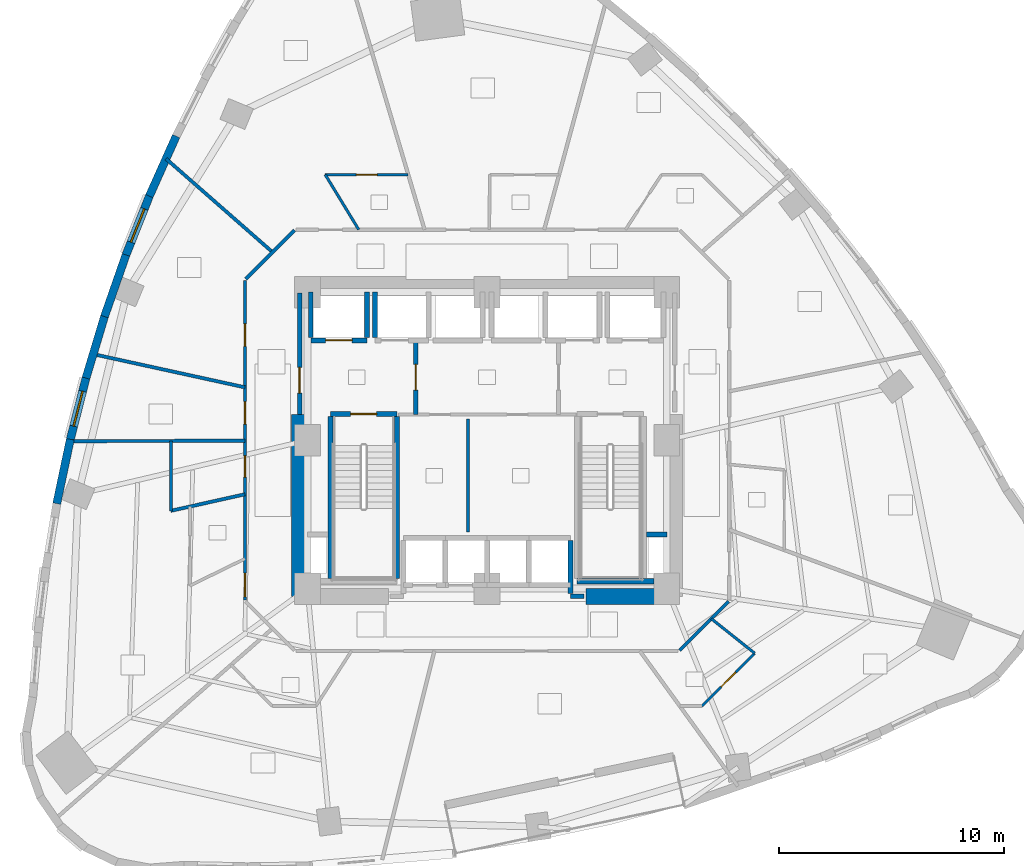
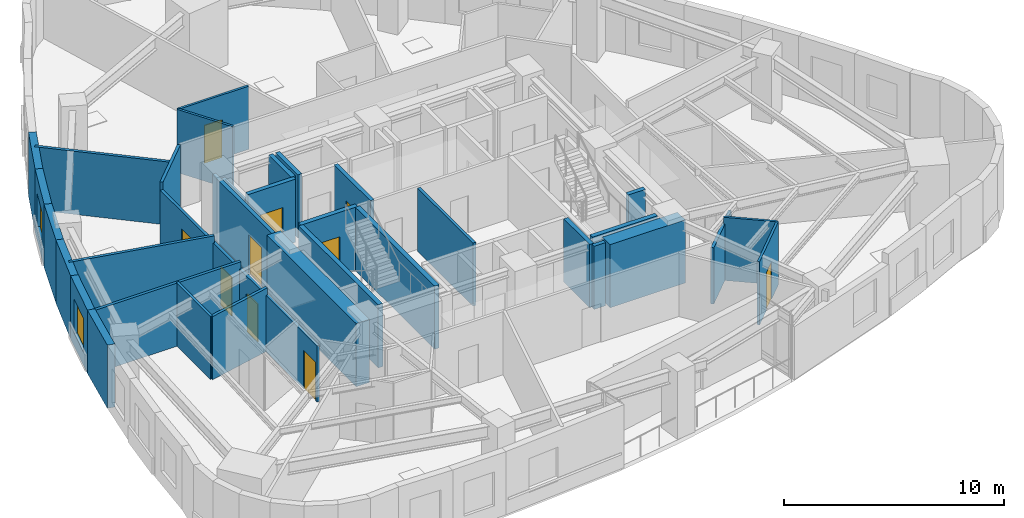
# One storey, part 6 of 12: 34 walls, 10 doors, 2 windows, 12 openings.
"""IFC4 building model written with IfcOpenShell, lengths in metres."""

from ifc_helpers import new_model, si_unit, direction, frame, frame_2d, origin, place, context, subcontext, project, spatial, rectangle, extrude, material, layer, layer_set, type_object, element, fill, save


model = new_model("IFC4")

# Units and contexts
model_context = context("Model", 3, precision=1e-05, world=origin(), true_north=direction((0.0, 1.0)))
body_context = subcontext(model_context, "Body", "Model", "MODEL_VIEW")
ifc_project = project(units=[si_unit("LENGTHUNIT", "METRE"), si_unit("AREAUNIT", "SQUARE_METRE"), si_unit("VOLUMEUNIT", "CUBIC_METRE"), si_unit("PLANEANGLEUNIT", "RADIAN"), si_unit("MASSUNIT", "GRAM", prefix="KILO")], contexts=[model_context])

# Site, building, storey
site_placement = place(None, origin())
site = spatial("IfcSite", under=ifc_project, at=site_placement, CompositionType="ELEMENT")
building_placement = place(site_placement, origin())
building = spatial("IfcBuilding", under=site, at=building_placement, Name="Ndelora Gate Hotel", CompositionType="ELEMENT")
storey_placement = place(building_placement, frame((0.0, 0.0, 75.5)))
storey = spatial("IfcBuildingStorey", under=building, at=storey_placement, Name="L18", CompositionType="ELEMENT", Elevation=75.5)

# Wall
ifc_material_1 = material(Name="Clay Brick Masonry", Category="masonry")
ifc_layer_1 = layer(ifc_material_1, 0.360107421875)
ifc_layer_set_1 = layer_set([ifc_layer_1], Name="Clay Brick Masonry")
wall_type_1 = type_object("IfcWallType", Name="WL-BRICK-360", PredefinedType="SOLIDWALL", material=ifc_layer_set_1)
wall_1_placement = place(storey_placement, frame((-15.038330078125, 10.87255859375, 0.0), z_axis=(0.0, 0.0, 1.0), x_axis=(0.408305664589, 0.912845268523, 0.0)))
element("IfcWall", 1, at=wall_1_placement, inside=storey, type_object=wall_type_1, Name="L18 Tower Brick Pier-and-Spandrel Wall TWR-12", PredefinedType="SOLIDWALL", context=body_context, shape_type="SweptSolid", body=[
    extrude(rectangle(XDim=2.925048828125, YDim=0.360107421875, at=frame_2d((1.46240234375, 0.0))), origin(), (0.0, 0.0, 1.0), 3.5),
])

# Wall, opening, window
wall_2_placement = place(storey_placement, frame((-16.09521484375, 8.209716796875, 0.0), z_axis=(0.0, 0.0, 1.0), x_axis=(0.369223403916, 0.929340668432, 0.0)))
wall_2 = element("IfcWall", 2, at=wall_2_placement, inside=storey, type_object=wall_type_1, Name="L18 Tower Brick Pier-and-Spandrel Wall TWR-13", PredefinedType="SOLIDWALL", context=body_context, shape_type="SweptSolid", body=[
    extrude(rectangle(XDim=2.914794921875, YDim=0.360107421875, at=frame_2d((1.45751953125, 0.0))), origin(), (0.0, 0.0, 1.0), 3.5),
])
opening_1_placement = place(wall_2_placement, frame((0.657470703125, 0.0, 0.719970703125)))
opening_1 = element("IfcOpeningElement", 3, at=opening_1_placement, cuts=wall_2, Name="Opening W03", PredefinedType="OPENING", context=body_context, shape_type="SweptSolid", body=[
    extrude(rectangle(XDim=1.60009765625, YDim=1.8798828125, at=frame_2d((0.800048828125, 0.93994140625))), frame((0.0, 0.18994140625, 0.0), z_axis=(0.0, -1.0, 0.0), x_axis=(1.0, 0.0, 0.0)), (0.0, 0.0, 1.0), 0.380126953125),
])
ifc_material_2 = material(Name="Insulated Low-E Double Glazing in Bronze Aluminium Frame", Category="aluminium")
window_type_1 = type_object("IfcWindowType", Name="WN-CORN-2100", PartitioningType="SINGLE_PANEL", PredefinedType="WINDOW", material=ifc_material_2)
window_1_placement = place(opening_1_placement, origin())
window_1 = element("IfcWindow", 4, at=window_1_placement, inside=storey, type_object=window_type_1, Name="L18 Deep-Set Brick-Pier Window W03", OverallHeight=1.8798828125, OverallWidth=1.60009765625, PartitioningType="SINGLE_PANEL", PredefinedType="WINDOW", context=body_context, shape_type="SweptSolid", body=[
    extrude(rectangle(XDim=1.60009765625, YDim=1.8798828125, at=frame_2d((0.800048828125, 0.93994140625))), frame((0.0, 0.030029296875, 0.0), z_axis=(0.0, -1.0, 0.0), x_axis=(1.0, 0.0, 0.0)), (0.0, 0.0, 1.0), 0.06005859375),
])
fill(opening_1, window_1)

# Walls
wall_3_placement = place(storey_placement, frame((-17.035888671875, 5.509033203125, 0.0), z_axis=(0.0, 0.0, 1.0), x_axis=(0.329262553332, 0.944238407911, 0.0)))
element("IfcWall", 5, at=wall_3_placement, inside=storey, type_object=wall_type_1, Name="L18 Tower Brick Pier-and-Spandrel Wall TWR-14", PredefinedType="SOLIDWALL", context=body_context, shape_type="SweptSolid", body=[
    extrude(rectangle(XDim=2.90966796875, YDim=0.360107421875, at=frame_2d((1.454833984375, 0.0))), origin(), (0.0, 0.0, 1.0), 3.5),
])
wall_4_placement = place(storey_placement, frame((-17.860107421875, 2.770751953125, 0.0), z_axis=(0.0, 0.0, 1.0), x_axis=(0.288579409527, 0.95745596473, 0.0)))
element("IfcWall", 6, at=wall_4_placement, inside=storey, type_object=wall_type_1, Name="L18 Tower Brick Pier-and-Spandrel Wall TWR-15", PredefinedType="SOLIDWALL", context=body_context, shape_type="SweptSolid", body=[
    extrude(rectangle(XDim=2.909423828125, YDim=0.360107421875, at=frame_2d((1.45458984375, 0.0))), origin(), (0.0, 0.0, 1.0), 3.5),
])

# Wall, opening, window
wall_5_placement = place(storey_placement, frame((-18.568359375, -0.00537109375, 0.0), z_axis=(0.0, 0.0, 1.0), x_axis=(0.247577302221, 0.968868143467, 0.0)))
wall_5 = element("IfcWall", 7, at=wall_5_placement, inside=storey, type_object=wall_type_1, Name="L18 Tower Brick Pier-and-Spandrel Wall TWR-16", PredefinedType="SOLIDWALL", context=body_context, shape_type="SweptSolid", body=[
    extrude(rectangle(XDim=2.9150390625, YDim=0.360107421875, at=frame_2d((1.45751953125, 0.0))), origin(), (0.0, 0.0, 1.0), 3.5),
])
opening_2_placement = place(wall_5_placement, frame((0.657470703125, 0.0, 0.719970703125)))
opening_2 = element("IfcOpeningElement", 8, at=opening_2_placement, cuts=wall_5, Name="Opening W01", PredefinedType="OPENING", context=body_context, shape_type="SweptSolid", body=[
    extrude(rectangle(XDim=1.60009765625, YDim=1.8798828125, at=frame_2d((0.800048828125, 0.93994140625))), frame((0.0, 0.18994140625, 0.0), z_axis=(0.0, -1.0, 0.0), x_axis=(1.0, 0.0, 0.0)), (0.0, 0.0, 1.0), 0.380126953125),
])
window_type_2 = type_object("IfcWindowType", Name="WN-DEEP-1600", PartitioningType="SINGLE_PANEL", PredefinedType="WINDOW", material=ifc_material_2)
window_2_placement = place(opening_2_placement, origin())
window_2 = element("IfcWindow", 9, at=window_2_placement, inside=storey, type_object=window_type_2, Name="L18 Deep-Set Brick-Pier Window W01", OverallHeight=1.8798828125, OverallWidth=1.60009765625, PartitioningType="SINGLE_PANEL", PredefinedType="WINDOW", context=body_context, shape_type="SweptSolid", body=[
    extrude(rectangle(XDim=1.60009765625, YDim=1.8798828125, at=frame_2d((0.800048828125, 0.93994140625))), frame((0.0, 0.030029296875, 0.0), z_axis=(0.0, -1.0, 0.0), x_axis=(1.0, 0.0, 0.0)), (0.0, 0.0, 1.0), 0.06005859375),
])
fill(opening_2, window_2)

# Walls
wall_6_placement = place(storey_placement, frame((-19.16015625, -2.819091796875, 0.0), z_axis=(0.0, 0.0, 1.0), x_axis=(0.206216567534, 0.978506375694, 0.0)))
element("IfcWall", 10, at=wall_6_placement, inside=storey, type_object=wall_type_1, Name="L18 Tower Brick Pier-and-Spandrel Wall TWR-17", PredefinedType="SOLIDWALL", context=body_context, shape_type="SweptSolid", body=[
    extrude(rectangle(XDim=2.925537109375, YDim=0.360107421875, at=frame_2d((1.462890625, 0.0))), origin(), (0.0, 0.0, 1.0), 3.5),
])
ifc_material_3 = material(Name="Concrete C60/75", Category="concrete")
ifc_layer_2 = layer(ifc_material_3, 0.699951171875)
ifc_layer_set_2 = layer_set([ifc_layer_2], Name="Concrete C60/75")
wall_type_2 = type_object("IfcWallType", Name="WL-CORE-700", PredefinedType="SHEAR", material=ifc_layer_set_2)
wall_7_placement = place(storey_placement, frame((4.39990234375, -6.949951171875, 0.0), z_axis=(0.0, 0.0, 1.0), x_axis=(1.0, 0.0, 0.0)))
element("IfcWall", 11, at=wall_7_placement, inside=storey, type_object=wall_type_2, Name="L18 Core Shear Wall S-E", PredefinedType="SHEAR", context=body_context, shape_type="SweptSolid", body=[
    extrude(rectangle(XDim=3.9501953125, YDim=0.699951171875, at=frame_2d((1.97509765625, 0.0))), origin(), (0.0, 0.0, 1.0), 3.5),
])
wall_8_placement = place(storey_placement, frame((-8.35009765625, -6.949951171875, 0.0), z_axis=(0.0, 0.0, 1.0), x_axis=(0.0, 1.0, 0.0)))
element("IfcWall", 12, at=wall_8_placement, inside=storey, type_object=wall_type_2, Name="L18 Core Shear Wall W", PredefinedType="SHEAR", context=body_context, shape_type="SweptSolid", body=[
    extrude(rectangle(XDim=8.099853515625, YDim=0.699951171875, at=frame_2d((4.0498046875, 0.0))), origin(), (0.0, 0.0, 1.0), 3.5),
])

# Wall, opening, door
ifc_material_4 = material(Name="Concrete C40/50", Category="concrete")
ifc_layer_3 = layer(ifc_material_4, 0.199951171875)
ifc_layer_set_3 = layer_set([ifc_layer_3], Name="Concrete C40/50")
wall_type_3 = type_object("IfcWallType", Name="WL-FIRE-200", PredefinedType="PARTITIONING", material=ifc_layer_set_3)
wall_9_placement = place(storey_placement, frame((-3.179931640625, 1.14990234375, 0.0), z_axis=(0.0, 0.0, 1.0), x_axis=(0.0, 1.0, 0.0)))
wall_9 = element("IfcWall", 13, at=wall_9_placement, inside=storey, type_object=wall_type_3, Name="L18 Interior Wall IW-2", PredefinedType="PARTITIONING", context=body_context, shape_type="SweptSolid", body=[
    extrude(rectangle(XDim=3.300048828125, YDim=0.199951171875, at=frame_2d((1.64990234375, 0.0))), origin(), (0.0, 0.0, 1.0), 3.5),
])
opening_3_placement = place(wall_9_placement, frame((1.080078125, 0.0, 0.0)))
opening_3 = element("IfcOpeningElement", 14, at=opening_3_placement, cuts=wall_9, Name="Opening FD1", PredefinedType="OPENING", context=body_context, shape_type="SweptSolid", body=[
    extrude(rectangle(XDim=1.14990234375, YDim=2.14990234375, at=frame_2d((0.574951171875, 1.074951171875))), frame((0.0, 0.10986328125, 0.0), z_axis=(0.0, -1.0, 0.0), x_axis=(1.0, 0.0, 0.0)), (0.0, 0.0, 1.0), 0.219970703125),
])
ifc_material_5 = material(Name="Fire-Rated Timber-Veneer Steel Core", Category="steel")
door_type_1 = type_object("IfcDoorType", Name="DR-FD60", OperationType="SINGLE_SWING_LEFT", PredefinedType="DOOR", material=ifc_material_5)
door_1_placement = place(opening_3_placement, origin())
door_1 = element("IfcDoor", 15, at=door_1_placement, inside=storey, type_object=door_type_1, Name="L18 Firefighting Lobby West Door", OperationType="SINGLE_SWING_RIGHT", OverallHeight=2.14990234375, OverallWidth=1.14990234375, PredefinedType="DOOR", context=body_context, shape_type="SweptSolid", body=[
    extrude(rectangle(XDim=1.14990234375, YDim=2.14990234375, at=frame_2d((0.574951171875, 1.074951171875))), frame((0.0, 0.02490234375, 0.0), z_axis=(0.0, -1.0, 0.0), x_axis=(1.0, 0.0, 0.0)), (0.0, 0.0, 1.0), 0.050048828125),
])
fill(opening_3, door_1)

wall_10_placement = place(storey_placement, frame((-8.35009765625, 1.14990234375, 0.0), z_axis=(0.0, 0.0, 1.0), x_axis=(0.0, 1.0, 0.0)))
wall_10 = element("IfcWall", 16, at=wall_10_placement, inside=storey, type_object=wall_type_3, Name="L18 Interior Wall IW-2", PredefinedType="PARTITIONING", context=body_context, shape_type="SweptSolid", body=[
    extrude(rectangle(XDim=5.400146484375, YDim=0.199951171875, at=frame_2d((2.7001953125, 0.0))), origin(), (0.0, 0.0, 1.0), 3.5),
])
opening_4_placement = place(wall_10_placement, frame((0.949951171875, 0.0, 0.0)))
opening_4 = element("IfcOpeningElement", 17, at=opening_4_placement, cuts=wall_10, Name="Opening FD1", PredefinedType="OPENING", context=body_context, shape_type="SweptSolid", body=[
    extrude(rectangle(XDim=1.14990234375, YDim=2.14990234375, at=frame_2d((0.574951171875, 1.074951171875))), frame((0.0, 0.10986328125, 0.0), z_axis=(0.0, -1.0, 0.0), x_axis=(1.0, 0.0, 0.0)), (0.0, 0.0, 1.0), 0.219970703125),
])
door_2_placement = place(opening_4_placement, origin())
door_2 = element("IfcDoor", 18, at=door_2_placement, inside=storey, type_object=door_type_1, Name="L18 Firefighting Lobby West Corridor Door", OperationType="SINGLE_SWING_LEFT", OverallHeight=2.14990234375, OverallWidth=1.14990234375, PredefinedType="DOOR", context=body_context, shape_type="SweptSolid", body=[
    extrude(rectangle(XDim=1.14990234375, YDim=2.14990234375, at=frame_2d((0.574951171875, 1.074951171875))), frame((0.0, 0.02490234375, 0.0), z_axis=(0.0, -1.0, 0.0), x_axis=(1.0, 0.0, 0.0)), (0.0, 0.0, 1.0), 0.050048828125),
])
fill(opening_4, door_2)

# Walls
wall_11_placement = place(storey_placement, frame((3.719970703125, -6.949951171875, 0.0), z_axis=(0.0, 0.0, 1.0), x_axis=(1.0, 0.0, 0.0)))
element("IfcWall", 19, at=wall_11_placement, inside=storey, type_object=wall_type_3, Name="L18 Interior Wall IW-2", PredefinedType="PARTITIONING", context=body_context, shape_type="SweptSolid", body=[
    extrude(rectangle(XDim=0.60009765625, YDim=0.199951171875, at=frame_2d((0.300048828125, 0.0))), origin(), (0.0, 0.0, 1.0), 3.5),
])
ifc_material_6 = material(Name="Fire-Rated Gypsum Stud Partition", Category="gypsum")
ifc_layer_4 = layer(ifc_material_6, 0.14990234375)
ifc_layer_set_4 = layer_set([ifc_layer_4], Name="Fire-Rated Gypsum Stud Partition")
wall_type_4 = type_object("IfcWallType", Name="WL-PART-150", PredefinedType="PARTITIONING", material=ifc_layer_set_4)
wall_12_placement = place(storey_placement, frame((-0.85009765625, -4.080078125, 0.0), z_axis=(0.0, 0.0, 1.0), x_axis=(0.0, 1.0, 0.0)))
element("IfcWall", 20, at=wall_12_placement, inside=storey, type_object=wall_type_4, Name="L18 Interior Wall IW-5", PredefinedType="PARTITIONING", context=body_context, shape_type="SweptSolid", body=[
    extrude(rectangle(XDim=5.030029296875, YDim=0.14990234375, at=frame_2d((2.51513671875, 0.0))), origin(), (0.0, 0.0, 1.0), 3.5),
])
wall_13_placement = place(storey_placement, frame((10.751708984375, -7.17822265625, 0.0), z_axis=(0.0, 0.0, 1.0), x_axis=(-0.707067066127, -0.707146494016, 0.0)))
element("IfcWall", 21, at=wall_13_placement, inside=storey, type_object=wall_type_4, Name="L18 Interior Wall IW-5", PredefinedType="PARTITIONING", context=body_context, shape_type="SweptSolid", body=[
    extrude(rectangle(XDim=3.07373046875, YDim=0.14990234375, at=frame_2d((1.536865234375, 0.0))), origin(), (0.0, 0.0, 1.0), 3.1201171875),
])
wall_14_placement = place(storey_placement, frame((-10.751708984375, 7.17822265625, 0.0), z_axis=(0.0, 0.0, 1.0), x_axis=(0.707067066127, 0.707146494016, 0.0)))
element("IfcWall", 22, at=wall_14_placement, inside=storey, type_object=wall_type_4, Name="L18 Interior Wall IW-5", PredefinedType="PARTITIONING", context=body_context, shape_type="SweptSolid", body=[
    extrude(rectangle(XDim=3.07373046875, YDim=0.14990234375, at=frame_2d((1.536865234375, 0.0))), origin(), (0.0, 0.0, 1.0), 3.5),
])

# Wall, openings, doors
wall_15_placement = place(storey_placement, frame((-10.780029296875, -7.110107421875, 0.0), z_axis=(0.0, 0.0, 1.0), x_axis=(0.0, 1.0, 0.0)))
wall_15 = element("IfcWall", 23, at=wall_15_placement, inside=storey, type_object=wall_type_4, Name="L18 Interior Wall IW-5", PredefinedType="PARTITIONING", context=body_context, shape_type="SweptSolid", body=[
    extrude(rectangle(XDim=14.22021484375, YDim=0.14990234375, at=frame_2d((7.110107421875, 0.0))), origin(), (0.0, 0.0, 1.0), 3.1201171875),
])
opening_5_placement = place(wall_15_placement, frame((5.470947265625, 0.0, 0.0)))
opening_5 = element("IfcOpeningElement", 24, at=opening_5_placement, cuts=wall_15, Name="Opening D05", PredefinedType="OPENING", context=body_context, shape_type="SweptSolid", body=[
    extrude(rectangle(XDim=0.949951171875, YDim=2.10009765625, at=frame_2d((0.47509765625, 1.050048828125))), frame((0.0, 0.0849609375, 0.0), z_axis=(0.0, -1.0, 0.0), x_axis=(1.0, 0.0, 0.0)), (0.0, 0.0, 1.0), 0.169921875),
])
opening_6_placement = place(wall_15_placement, frame((7.830322265625, 0.0, 0.0)))
opening_6 = element("IfcOpeningElement", 25, at=opening_6_placement, cuts=wall_15, Name="Opening D01", PredefinedType="OPENING", context=body_context, shape_type="SweptSolid", body=[
    extrude(rectangle(XDim=1.0, YDim=2.14990234375, at=frame_2d((0.5, 1.074951171875))), frame((0.0, 0.0849609375, 0.0), z_axis=(0.0, -1.0, 0.0), x_axis=(1.0, 0.0, 0.0)), (0.0, 0.0, 1.0), 0.169921875),
])
opening_7_placement = place(wall_15_placement, frame((11.294189453125, 0.0, 0.0)))
opening_7 = element("IfcOpeningElement", 26, at=opening_7_placement, cuts=wall_15, Name="Opening D01", PredefinedType="OPENING", context=body_context, shape_type="SweptSolid", body=[
    extrude(rectangle(XDim=1.0, YDim=2.14990234375, at=frame_2d((0.5, 1.074951171875))), frame((0.0, 0.0849609375, 0.0), z_axis=(0.0, -1.0, 0.0), x_axis=(1.0, 0.0, 0.0)), (0.0, 0.0, 1.0), 0.169921875),
])
opening_8_placement = place(wall_15_placement, frame((0.139892578125, 0.0, 0.0)))
opening_8 = element("IfcOpeningElement", 27, at=opening_8_placement, cuts=wall_15, Name="Opening D07", PredefinedType="OPENING", context=body_context, shape_type="SweptSolid", body=[
    extrude(rectangle(XDim=1.06005859375, YDim=2.14990234375, at=frame_2d((0.530029296875, 1.074951171875))), frame((0.0, 0.0849609375, 0.0), z_axis=(0.0, -1.0, 0.0), x_axis=(1.0, 0.0, 0.0)), (0.0, 0.0, 1.0), 0.169921875),
])
ifc_material_7 = material(Name="Accessible Restroom Wide-Clearance Door", Category="wood")
door_type_2 = type_object("IfcDoorType", Name="DR-ACC-950", OperationType="SINGLE_SWING_LEFT", PredefinedType="DOOR", material=ifc_material_7)
door_3_placement = place(opening_5_placement, origin())
door_3 = element("IfcDoor", 28, at=door_3_placement, inside=storey, type_object=door_type_2, Name="L18 Accessible WC Entrance Door", OperationType="SINGLE_SWING_RIGHT", OverallHeight=2.10009765625, OverallWidth=0.949951171875, PredefinedType="DOOR", context=body_context, shape_type="SweptSolid", body=[
    extrude(rectangle(XDim=0.949951171875, YDim=2.10009765625, at=frame_2d((0.47509765625, 1.050048828125))), frame((0.0, 0.02490234375, 0.0), z_axis=(0.0, -1.0, 0.0), x_axis=(1.0, 0.0, 0.0)), (0.0, 0.0, 1.0), 0.050048828125),
])
fill(opening_5, door_3)
ifc_material_8 = material(Name="Acoustic Hardwood Guest Entrance Door", Category="wood")
door_type_3 = type_object("IfcDoorType", Name="DR-COR-1000", OperationType="SINGLE_SWING_LEFT", PredefinedType="DOOR", material=ifc_material_8)
door_4_placement = place(opening_6_placement, origin())
door_4 = element("IfcDoor", 29, at=door_4_placement, inside=storey, type_object=door_type_3, Name="L18 Housekeeping and Linen Room Entrance Door", OperationType="SINGLE_SWING_LEFT", OverallHeight=2.14990234375, OverallWidth=1.0, PredefinedType="DOOR", context=body_context, shape_type="SweptSolid", body=[
    extrude(rectangle(XDim=1.0, YDim=2.14990234375, at=frame_2d((0.5, 1.074951171875))), frame((0.0, 0.02490234375, 0.0), z_axis=(0.0, -1.0, 0.0), x_axis=(1.0, 0.0, 0.0)), (0.0, 0.0, 1.0), 0.050048828125),
])
fill(opening_6, door_4)
door_5_placement = place(opening_7_placement, origin())
door_5 = element("IfcDoor", 30, at=door_5_placement, inside=storey, type_object=door_type_3, Name="L18 Espresso Cocktail Bar Entrance Door", OperationType="SINGLE_SWING_RIGHT", OverallHeight=2.14990234375, OverallWidth=1.0, PredefinedType="DOOR", context=body_context, shape_type="SweptSolid", body=[
    extrude(rectangle(XDim=1.0, YDim=2.14990234375, at=frame_2d((0.5, 1.074951171875))), frame((0.0, 0.02490234375, 0.0), z_axis=(0.0, -1.0, 0.0), x_axis=(1.0, 0.0, 0.0)), (0.0, 0.0, 1.0), 0.050048828125),
])
fill(opening_7, door_5)
ifc_material_9 = material(Name="Diplomatic Suite Acoustic Entrance Door", Category="wood")
door_type_4 = type_object("IfcDoorType", Name="DR-SUITE-1060", OperationType="SINGLE_SWING_LEFT", PredefinedType="DOOR", material=ifc_material_9)
door_6_placement = place(opening_8_placement, origin())
door_6 = element("IfcDoor", 31, at=door_6_placement, inside=storey, type_object=door_type_4, Name="L18 Two-Bay Diplomatic Suite 2101 Entrance Door", OperationType="SINGLE_SWING_RIGHT", OverallHeight=2.14990234375, OverallWidth=1.06005859375, PredefinedType="DOOR", context=body_context, shape_type="SweptSolid", body=[
    extrude(rectangle(XDim=1.06005859375, YDim=2.14990234375, at=frame_2d((0.530029296875, 1.074951171875))), frame((0.0, 0.02490234375, 0.0), z_axis=(0.0, -1.0, 0.0), x_axis=(1.0, 0.0, 0.0)), (0.0, 0.0, 1.0), 0.050048828125),
])
fill(opening_8, door_6)

# Walls
wall_16_placement = place(storey_placement, frame((-10.780029296875, -2.40283203125, 0.0), z_axis=(0.0, 0.0, 1.0), x_axis=(-0.976045834457, -0.217564999572, 0.0)))
element("IfcWall", 32, at=wall_16_placement, inside=storey, type_object=wall_type_4, Name="L18 Interior Wall IW-5", PredefinedType="PARTITIONING", context=body_context, shape_type="SweptSolid", body=[
    extrude(rectangle(XDim=3.381103515625, YDim=0.14990234375, at=frame_2d((1.6904296875, 0.0))), origin(), (0.0, 0.0, 1.0), 3.5),
])
wall_17_placement = place(storey_placement, frame((-9.552490234375, 8.37744140625, 0.0), z_axis=(0.0, 0.0, 1.0), x_axis=(-0.751832839007, 0.659353761034, 0.0)))
element("IfcWall", 33, at=wall_17_placement, inside=storey, type_object=wall_type_4, Name="L18 Interior Wall IW-5", PredefinedType="PARTITIONING", context=body_context, shape_type="SweptSolid", body=[
    extrude(rectangle(XDim=6.306884765625, YDim=0.14990234375, at=frame_2d((3.1533203125, 0.0))), origin(), (0.0, 0.0, 1.0), 3.5),
])
wall_18_placement = place(storey_placement, frame((-10.780029296875, 2.358154296875, 0.0), z_axis=(0.0, 0.0, 1.0), x_axis=(-0.97689172926, 0.213734763911, 0.0)))
element("IfcWall", 34, at=wall_18_placement, inside=storey, type_object=wall_type_4, Name="L18 Interior Wall IW-5", PredefinedType="PARTITIONING", context=body_context, shape_type="SweptSolid", body=[
    extrude(rectangle(XDim=6.918701171875, YDim=0.14990234375, at=frame_2d((3.45947265625, 0.0))), origin(), (0.0, 0.0, 1.0), 3.5),
])
wall_19_placement = place(storey_placement, frame((-10.780029296875, -0.021240234375, 0.0), z_axis=(0.0, 0.0, 1.0), x_axis=(-0.999998052657, -0.001973494888, 0.0)))
element("IfcWall", 35, at=wall_19_placement, inside=storey, type_object=wall_type_4, Name="L18 Interior Wall IW-5", PredefinedType="PARTITIONING", context=body_context, shape_type="SweptSolid", body=[
    extrude(rectangle(XDim=7.793701171875, YDim=0.14990234375, at=frame_2d((3.89697265625, 0.0))), origin(), (0.0, 0.0, 1.0), 3.5),
])
ifc_layer_5 = layer(ifc_material_4, 0.219970703125)
ifc_layer_set_5 = layer_set([ifc_layer_5], Name="Concrete C40/50")
wall_type_5 = type_object("IfcWallType", Name="WL-SHAFT-220", PredefinedType="PARTITIONING", material=ifc_layer_set_5)
wall_20_placement = place(storey_placement, frame((7.090087890625, -4.199951171875, 0.0), z_axis=(0.0, 0.0, 1.0), x_axis=(1.0, 0.0, 0.0)))
element("IfcWall", 36, at=wall_20_placement, inside=storey, type_object=wall_type_5, Name="L18 Interior Wall IW-1", PredefinedType="PARTITIONING", context=body_context, shape_type="SweptSolid", body=[
    extrude(rectangle(XDim=0.909912109375, YDim=0.219970703125, at=frame_2d((0.455078125, 0.0))), origin(), (0.0, 0.0, 1.0), 3.5),
])

# Wall, opening, door
wall_21_placement = place(storey_placement, frame((-7.85009765625, 4.449951171875, 0.0), z_axis=(0.0, 0.0, 1.0), x_axis=(1.0, 0.0, 0.0)))
wall_21 = element("IfcWall", 37, at=wall_21_placement, inside=storey, type_object=wall_type_5, Name="L18 Interior Wall IW-1", PredefinedType="PARTITIONING", context=body_context, shape_type="SweptSolid", body=[
    extrude(rectangle(XDim=2.5, YDim=0.219970703125, at=frame_2d((1.25, 0.0))), origin(), (0.0, 0.0, 1.0), 3.5),
])
opening_9_placement = place(wall_21_placement, frame((0.659912109375, 0.0, 0.0)))
opening_9 = element("IfcOpeningElement", 38, at=opening_9_placement, cuts=wall_21, Name="Opening LD5", PredefinedType="OPENING", context=body_context, shape_type="SweptSolid", body=[
    extrude(rectangle(XDim=1.179931640625, YDim=2.14990234375, at=frame_2d((0.58984375, 1.074951171875))), frame((0.0, 0.1201171875, 0.0), z_axis=(0.0, -1.0, 0.0), x_axis=(1.0, 0.0, 0.0)), (0.0, 0.0, 1.0), 0.239990234375),
])
ifc_material_10 = material(Name="Firefighting Lift Stainless Sliding Landing Door", Category="metal")
door_type_5 = type_object("IfcDoorType", Name="DR-LD5", OperationType="DOUBLE_DOOR_SLIDING", PredefinedType="DOOR", material=ifc_material_10)
door_7_placement = place(opening_9_placement, origin())
door_7 = element("IfcDoor", 39, at=door_7_placement, inside=storey, type_object=door_type_5, Name="L18 Lift Landing Sliding Door FFL1", OperationType="DOUBLE_DOOR_SLIDING", OverallHeight=2.14990234375, OverallWidth=1.179931640625, PredefinedType="DOOR", context=body_context, shape_type="SweptSolid", body=[
    extrude(rectangle(XDim=1.179931640625, YDim=2.14990234375, at=frame_2d((0.58984375, 1.074951171875))), frame((0.0, 0.02490234375, 0.0), z_axis=(0.0, -1.0, 0.0), x_axis=(1.0, 0.0, 0.0)), (0.0, 0.0, 1.0), 0.050048828125),
])
fill(opening_9, door_7)

# Walls
wall_22_placement = place(storey_placement, frame((-7.85009765625, 4.570068359375, 0.0), z_axis=(0.0, 0.0, 1.0), x_axis=(0.0, 1.0, 0.0)))
element("IfcWall", 40, at=wall_22_placement, inside=storey, type_object=wall_type_5, Name="L18 Interior Wall IW-1", PredefinedType="PARTITIONING", context=body_context, shape_type="SweptSolid", body=[
    extrude(rectangle(XDim=2.030029296875, YDim=0.219970703125, at=frame_2d((1.01513671875, 0.0))), origin(), (0.0, 0.0, 1.0), 3.080078125),
])
for number, where, z_axis, x_axis, name in (
    (41, (-5.35009765625, 4.570068359375, 0.0), (0.0, 0.0, 1.0), (0.0, 1.0, 0.0), "L18 Interior Wall IW-1"),
    (42, (-5.0, 4.570068359375, 0.0), (0.0, 0.0, 1.0), (0.0, 1.0, 0.0), "L18 Interior Wall IW-1"),
):
    element("IfcWall", number, at=place(storey_placement, frame(where, z_axis=z_axis, x_axis=x_axis)), inside=storey, type_object=wall_type_5, Name=name, PredefinedType="PARTITIONING", context=body_context, shape_type="SweptSolid", body=[
        extrude(rectangle(XDim=2.030029296875, YDim=0.219970703125, at=frame_2d((1.01513671875, 0.0))), origin(), (0.0, 0.0, 1.0), 3.5),
    ])
wall_23_placement = place(storey_placement, frame((3.719970703125, -6.830078125, 0.0), z_axis=(0.0, 0.0, 1.0), x_axis=(0.0, 1.0, 0.0)))
element("IfcWall", 43, at=wall_23_placement, inside=storey, type_object=wall_type_5, Name="L18 Interior Wall IW-1", PredefinedType="PARTITIONING", context=body_context, shape_type="SweptSolid", body=[
    extrude(rectangle(XDim=2.360107421875, YDim=0.219970703125, at=frame_2d((1.18017578125, 0.0))), origin(), (0.0, 0.0, 1.0), 3.5),
])
ifc_material_11 = material(Name="Concrete C50/60", Category="concrete")
ifc_layer_6 = layer(ifc_material_11, 0.239990234375)
ifc_layer_set_6 = layer_set([ifc_layer_6], Name="Concrete C50/60")
wall_type_6 = type_object("IfcWallType", Name="WL-STAIR-240", PredefinedType="SHEAR", material=ifc_layer_set_6)
for number, where, z_axis, x_axis, name in (
    (44, (-6.969970703125, -6.159912109375, 0.0), (0.0, 0.0, 1.0), (0.0, 1.0, 0.0), "L18 Stair Core Shear Wall SW-ST"),
    (45, (-4.010009765625, -6.159912109375, 0.0), (0.0, 0.0, 1.0), (0.0, 1.0, 0.0), "L18 Stair Core Shear Wall SW-ST"),
):
    element("IfcWall", number, at=place(storey_placement, frame(where, z_axis=z_axis, x_axis=x_axis)), inside=storey, type_object=wall_type_6, Name=name, PredefinedType="SHEAR", context=body_context, shape_type="SweptSolid", body=[
        extrude(rectangle(XDim=7.219970703125, YDim=0.239990234375, at=frame_2d((3.60986328125, 0.0))), origin(), (0.0, 0.0, 1.0), 3.5),
    ])

# Wall, opening, door
wall_24_placement = place(storey_placement, frame((-6.969970703125, 1.169921875, 0.0), z_axis=(0.0, 0.0, 1.0), x_axis=(1.0, 0.0, 0.0)))
wall_24 = element("IfcWall", 46, at=wall_24_placement, inside=storey, type_object=wall_type_6, Name="L18 Stair Core Shear Wall SW-ST", PredefinedType="SHEAR", context=body_context, shape_type="SweptSolid", body=[
    extrude(rectangle(XDim=2.9599609375, YDim=0.239990234375, at=frame_2d((1.47998046875, 0.0))), origin(), (0.0, 0.0, 1.0), 3.5),
])
opening_10_placement = place(wall_24_placement, frame((0.89990234375, 0.0, 0.0)))
opening_10 = element("IfcOpeningElement", 47, at=opening_10_placement, cuts=wall_24, Name="Opening FD1", PredefinedType="OPENING", context=body_context, shape_type="SweptSolid", body=[
    extrude(rectangle(XDim=1.14990234375, YDim=2.14990234375, at=frame_2d((0.574951171875, 1.074951171875))), frame((0.0, 0.1298828125, 0.0), z_axis=(0.0, -1.0, 0.0), x_axis=(1.0, 0.0, 0.0)), (0.0, 0.0, 1.0), 0.260009765625),
])
door_8_placement = place(opening_10_placement, origin())
door_8 = element("IfcDoor", 48, at=door_8_placement, inside=storey, type_object=door_type_1, Name="L18 Exit Stair ST4 Door", OperationType="SINGLE_SWING_LEFT", OverallHeight=2.14990234375, OverallWidth=1.14990234375, PredefinedType="DOOR", context=body_context, shape_type="SweptSolid", body=[
    extrude(rectangle(XDim=1.14990234375, YDim=2.14990234375, at=frame_2d((0.574951171875, 1.074951171875))), frame((0.0, 0.02490234375, 0.0), z_axis=(0.0, -1.0, 0.0), x_axis=(1.0, 0.0, 0.0)), (0.0, 0.0, 1.0), 0.050048828125),
])
fill(opening_10, door_8)

# Walls
wall_25_placement = place(storey_placement, frame((4.010009765625, -6.27001953125, 0.0), z_axis=(0.0, 0.0, 1.0), x_axis=(1.0, 0.0, 0.0)))
element("IfcWall", 49, at=wall_25_placement, inside=storey, type_object=wall_type_6, Name="L18 Stair Core Shear Wall SW-ST", PredefinedType="SHEAR", context=body_context, shape_type="SweptSolid", body=[
    extrude(rectangle(XDim=3.4150390625, YDim=0.239990234375, at=frame_2d((1.70751953125, 0.0))), origin(), (0.0, 0.0, 1.0), 3.5),
])
ifc_material_12 = material(Name="Moisture-Resistant Bathroom Tile Partition", Category="gypsum")
ifc_layer_7 = layer(ifc_material_12, 0.1201171875)
ifc_layer_set_7 = layer_set([ifc_layer_7], Name="Moisture-Resistant Bathroom Tile Partition")
wall_type_7 = type_object("IfcWallType", Name="WL-WET-120", PredefinedType="PARTITIONING", material=ifc_layer_set_7)
wall_26_placement = place(storey_placement, frame((9.985107421875, -7.94482421875, 0.0), z_axis=(0.0, 0.0, 1.0), x_axis=(0.782479351314, -0.622676533015, 0.0)))
element("IfcWall", 50, at=wall_26_placement, inside=storey, type_object=wall_type_7, Name="L18 Interior Wall IW-7", PredefinedType="PARTITIONING", context=body_context, shape_type="SweptSolid", body=[
    extrude(rectangle(XDim=2.4658203125, YDim=0.1201171875, at=frame_2d((1.23291015625, 0.0))), origin(), (0.0, 0.0, 1.0), 3.5),
])

# Wall, opening, door
wall_27_placement = place(storey_placement, frame((11.91455078125, -9.480224609375, 0.0), z_axis=(0.0, 0.0, 1.0), x_axis=(-0.707106781187, -0.707106781187, 0.0)))
wall_27 = element("IfcWall", 51, at=wall_27_placement, inside=storey, type_object=wall_type_7, Name="L18 Interior Wall IW-7", PredefinedType="PARTITIONING", context=body_context, shape_type="SweptSolid", body=[
    extrude(rectangle(XDim=3.3232421875, YDim=0.1201171875, at=frame_2d((1.66162109375, 0.0))), origin(), (0.0, 0.0, 1.0), 3.5),
])
opening_11_placement = place(wall_27_placement, frame((1.20166015625, 0.0, 0.0)))
opening_11 = element("IfcOpeningElement", 52, at=opening_11_placement, cuts=wall_27, Name="Opening D03", PredefinedType="OPENING", context=body_context, shape_type="SweptSolid", body=[
    extrude(rectangle(XDim=0.919921875, YDim=2.10009765625, at=frame_2d((0.4599609375, 1.050048828125))), frame((0.0, 0.070068359375, 0.0), z_axis=(0.0, -1.0, 0.0), x_axis=(1.0, 0.0, 0.0)), (0.0, 0.0, 1.0), 0.14013671875),
])
ifc_material_13 = material(Name="Moisture-Resistant Hardwood En-Suite Door", Category="wood")
door_type_6 = type_object("IfcDoorType", Name="DR-BATH-920", OperationType="SINGLE_SWING_LEFT", PredefinedType="DOOR", material=ifc_material_13)
door_9_placement = place(opening_11_placement, origin())
door_9 = element("IfcDoor", 53, at=door_9_placement, inside=storey, type_object=door_type_6, Name="L18 En-suite Bathroom 2103 Door", OperationType="SINGLE_SWING_RIGHT", OverallHeight=2.10009765625, OverallWidth=0.919921875, PredefinedType="DOOR", context=body_context, shape_type="SweptSolid", body=[
    extrude(rectangle(XDim=0.919921875, YDim=2.10009765625, at=frame_2d((0.4599609375, 1.050048828125))), frame((0.0, 0.02490234375, 0.0), z_axis=(0.0, -1.0, 0.0), x_axis=(1.0, 0.0, 0.0)), (0.0, 0.0, 1.0), 0.050048828125),
])
fill(opening_11, door_9)

# Wall
wall_28_placement = place(storey_placement, frame((-7.206787109375, 11.830078125, 0.0), z_axis=(0.0, 0.0, 1.0), x_axis=(0.520203390889, -0.854042406504, 0.0)))
element("IfcWall", 54, at=wall_28_placement, inside=storey, type_object=wall_type_7, Name="L18 Interior Wall IW-7", PredefinedType="PARTITIONING", context=body_context, shape_type="SweptSolid", body=[
    extrude(rectangle(XDim=2.868896484375, YDim=0.1201171875, at=frame_2d((1.4345703125, 0.0))), origin(), (0.0, 0.0, 1.0), 3.5),
])

# Wall, opening, door
wall_29_placement = place(storey_placement, frame((-7.206787109375, 11.830078125, 0.0), z_axis=(0.0, 0.0, 1.0), x_axis=(1.0, 0.0, 0.0)))
wall_29 = element("IfcWall", 55, at=wall_29_placement, inside=storey, type_object=wall_type_7, Name="L18 Interior Wall IW-7", PredefinedType="PARTITIONING", context=body_context, shape_type="SweptSolid", body=[
    extrude(rectangle(XDim=3.6962890625, YDim=0.1201171875, at=frame_2d((1.84814453125, 0.0))), origin(), (0.0, 0.0, 1.0), 3.5),
])
opening_12_placement = place(wall_29_placement, frame((1.38818359375, 0.0, 0.0)))
opening_12 = element("IfcOpeningElement", 56, at=opening_12_placement, cuts=wall_29, Name="Opening D03", PredefinedType="OPENING", context=body_context, shape_type="SweptSolid", body=[
    extrude(rectangle(XDim=0.919921875, YDim=2.10009765625, at=frame_2d((0.4599609375, 1.050048828125))), frame((0.0, 0.070068359375, 0.0), z_axis=(0.0, -1.0, 0.0), x_axis=(1.0, 0.0, 0.0)), (0.0, 0.0, 1.0), 0.14013671875),
])
door_10_placement = place(opening_12_placement, origin())
door_10 = element("IfcDoor", 57, at=door_10_placement, inside=storey, type_object=door_type_6, Name="L18 En-suite Bathroom 2107 Door", OperationType="SINGLE_SWING_RIGHT", OverallHeight=2.10009765625, OverallWidth=0.919921875, PredefinedType="DOOR", context=body_context, shape_type="SweptSolid", body=[
    extrude(rectangle(XDim=0.919921875, YDim=2.10009765625, at=frame_2d((0.4599609375, 1.050048828125))), frame((0.0, 0.02490234375, 0.0), z_axis=(0.0, -1.0, 0.0), x_axis=(1.0, 0.0, 0.0)), (0.0, 0.0, 1.0), 0.050048828125),
])
fill(opening_12, door_10)

# Wall
ifc_material_14 = material(Name="Moisture-Resistant Fire-Rated Tile Partition", Category="gypsum")
ifc_layer_8 = layer(ifc_material_14, 0.1298828125)
ifc_layer_set_8 = layer_set([ifc_layer_8], Name="Moisture-Resistant Fire-Rated Tile Partition")
wall_type_8 = type_object("IfcWallType", Name="WL-WET-RATED", PredefinedType="PARTITIONING", material=ifc_layer_set_8)
wall_30_placement = place(storey_placement, frame((-14.080078125, -3.138427734375, 0.0), z_axis=(0.0, 0.0, 1.0), x_axis=(0.0, 1.0, 0.0)))
element("IfcWall", 58, at=wall_30_placement, inside=storey, type_object=wall_type_8, Name="L18 Interior Wall IW-6", PredefinedType="PARTITIONING", context=body_context, shape_type="SweptSolid", body=[
    extrude(rectangle(XDim=3.110595703125, YDim=0.1298828125, at=frame_2d((1.55517578125, 0.0))), origin(), (0.0, 0.0, 1.0), 3.5),
])

save(model, "model.ifc")
